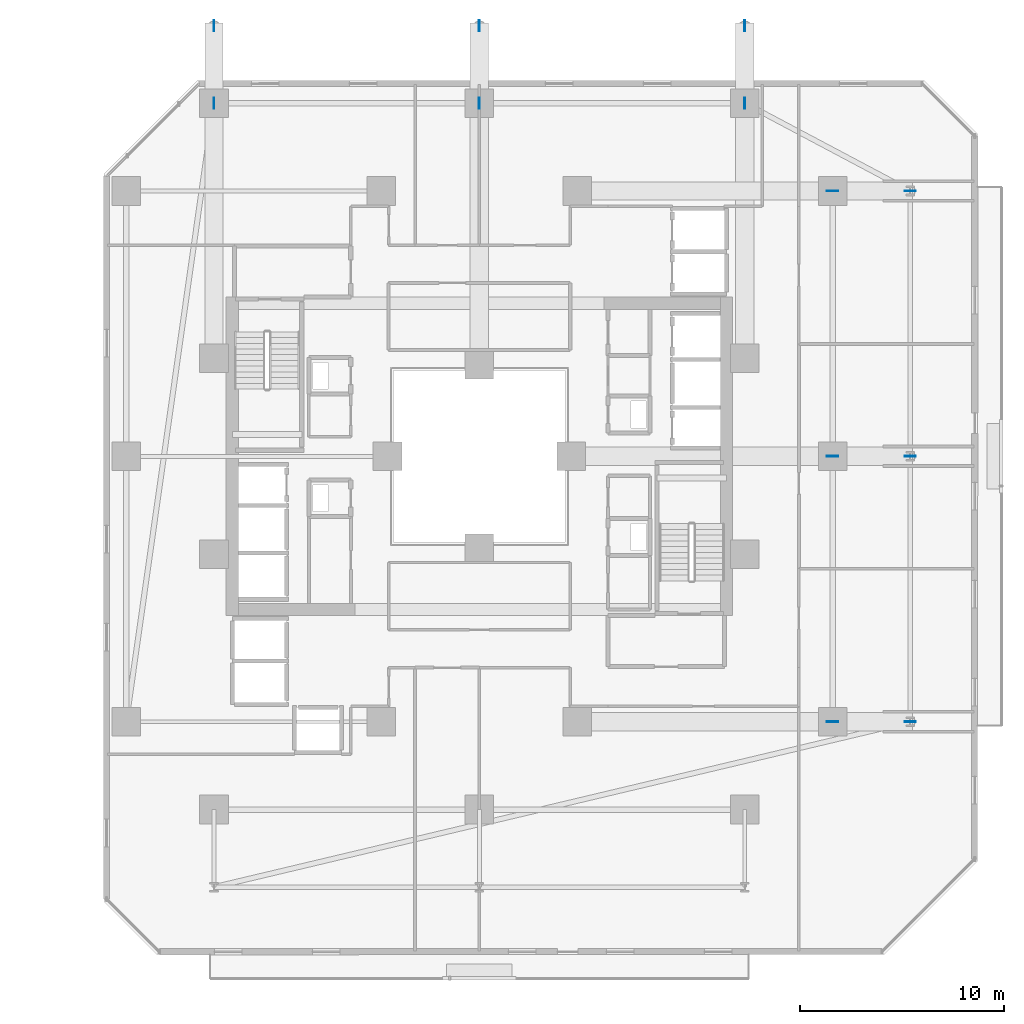
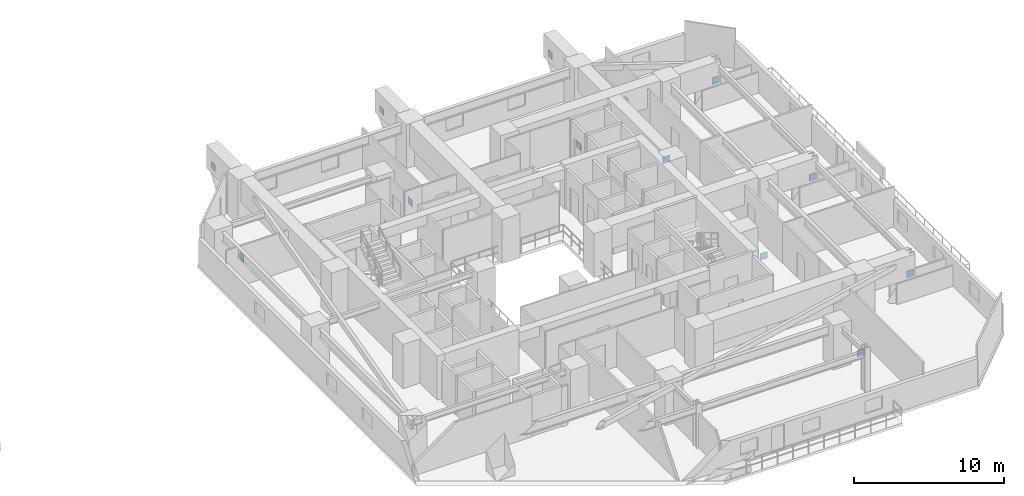
# One storey, part 20 of 36: 12 plates.
"""IFC4 building model written with IfcOpenShell, lengths in metres."""

from ifc_helpers import new_model, si_unit, direction, frame, origin, origin_2d, place, context, subcontext, project, spatial, rectangle, extrude, material, layer, layer_set, type_object, element, save


model = new_model("IFC4")

# Units and contexts
model_context = context("Model", 3, precision=1e-05, world=origin(), true_north=direction((0.0, 1.0)))
body_context = subcontext(model_context, "Body", "Model", "MODEL_VIEW")
ifc_project = project(units=[si_unit("LENGTHUNIT", "METRE"), si_unit("AREAUNIT", "SQUARE_METRE"), si_unit("VOLUMEUNIT", "CUBIC_METRE"), si_unit("PLANEANGLEUNIT", "RADIAN"), si_unit("MASSUNIT", "GRAM", prefix="KILO")], contexts=[model_context])

# Site, building, storey
site_placement = place(None, origin())
site = spatial("IfcSite", under=ifc_project, at=site_placement, CompositionType="ELEMENT")
building_placement = place(site_placement, origin())
building = spatial("IfcBuilding", under=site, at=building_placement, Name="Thornwick Lancets Civic Towers", CompositionType="ELEMENT")
storey_placement = place(building_placement, frame((0.0, 0.0, 45.89990234375)))
storey = spatial("IfcBuildingStorey", under=building, at=storey_placement, Name="L11", CompositionType="ELEMENT", Elevation=45.89990234375)

# Plates
ifc_material = material(Name="Steel S460M", Category="steel")
ifc_layer = layer(ifc_material, 0.0400390625, Name="Steel S460M")
ifc_layer_set = layer_set([ifc_layer], Name="Steel S460M")
plate_type = type_object("IfcPlateType", Name="PLT_GUSSET_40", PredefinedType="USERDEFINED", material=ifc_layer_set)
for number, where, z_axis, x_axis, name in (
    (1, (105.800048828125, 14.0, -3.625), (0.0, 0.0, 1.0), (1.0, 0.0, 0.0), "L11 Brace Connection Gusset Plate 0037"),
    (2, (109.60009765625, 14.0, 1.5048828125), (0.0, 0.0, 1.0), (1.0, 0.0, 0.0), "L11 Brace Connection Gusset Plate 0038"),
    (3, (105.800048828125, 27.0, -3.625), (0.0, 0.0, 1.0), (1.0, 0.0, 0.0), "L11 Brace Connection Gusset Plate 0039"),
    (4, (109.60009765625, 27.0, 1.5048828125), (0.0, 0.0, 1.0), (1.0, 0.0, 0.0), "L11 Brace Connection Gusset Plate 0040"),
    (5, (105.800048828125, 40.0, -3.625), (0.0, 0.0, 1.0), (1.0, 0.0, 0.0), "L11 Brace Connection Gusset Plate 0041"),
    (6, (109.60009765625, 40.0, 1.5048828125), (0.0, 0.0, 1.0), (1.0, 0.0, 0.0), "L11 Brace Connection Gusset Plate 0042"),
    (7, (101.5, 44.300048828125, -3.625), (0.0, 0.0, 1.0), (0.0, 1.0, 0.0), "L11 Brace Connection Gusset Plate 0043"),
    (8, (101.5, 48.10009765625, 1.5048828125), (0.0, 0.0, 1.0), (0.0, 1.0, 0.0), "L11 Brace Connection Gusset Plate 0044"),
    (9, (88.5, 44.300048828125, -3.625), (0.0, 0.0, 1.0), (0.0, 1.0, 0.0), "L11 Brace Connection Gusset Plate 0045"),
    (10, (88.5, 48.10009765625, 1.5048828125), (0.0, 0.0, 1.0), (0.0, 1.0, 0.0), "L11 Brace Connection Gusset Plate 0046"),
    (11, (75.5, 44.300048828125, -3.625), (0.0, 0.0, 1.0), (0.0, 1.0, 0.0), "L11 Brace Connection Gusset Plate 0047"),
    (12, (75.5, 48.10009765625, 1.5048828125), (0.0, 0.0, 1.0), (0.0, 1.0, 0.0), "L11 Brace Connection Gusset Plate 0048"),
):
    element("IfcPlate", number, at=place(storey_placement, frame(where, z_axis=z_axis, x_axis=x_axis)), inside=storey, type_object=plate_type, Name=name, ObjectType="GUSSET_PLATE", PredefinedType="USERDEFINED", context=body_context, shape_type="SweptSolid", body=[
        extrude(rectangle(XDim=0.550048828125, YDim=0.0400390625, at=origin_2d()), origin(), (0.0, 0.0, 1.0), 0.550048828125),
    ])

save(model, "model.ifc")
